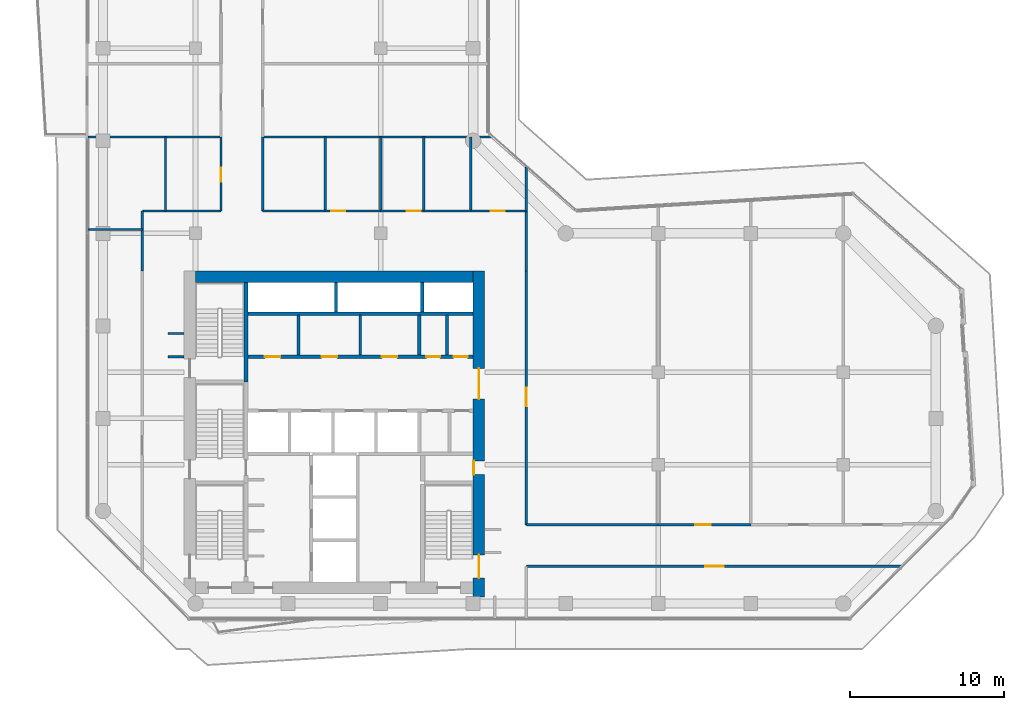
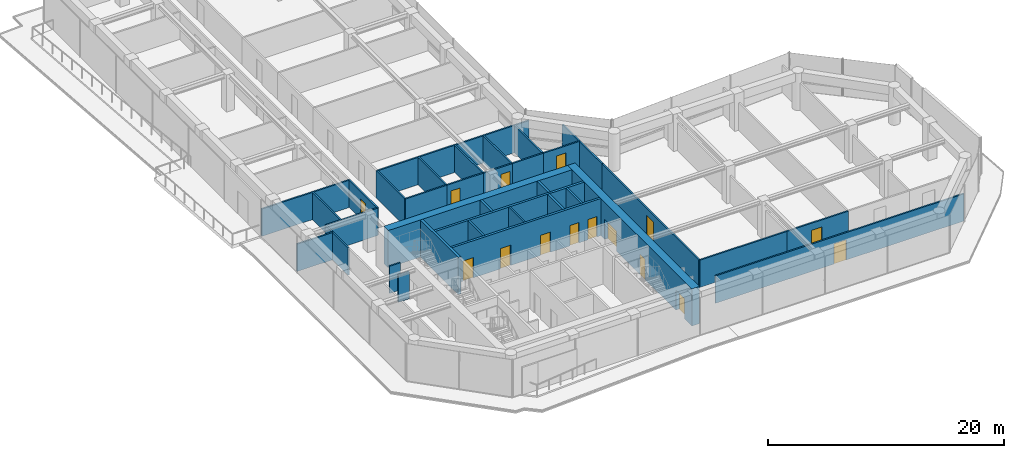
# One storey, part 19 of 23: 36 walls, 15 doors, 15 openings.
"""IFC4 building model written with IfcOpenShell, lengths in metres."""

from ifc_helpers import new_model, si_unit, direction, frame, frame_2d, origin, place, context, subcontext, project, spatial, rectangle, extrude, material, layer, layer_set, type_object, element, fill, save


model = new_model("IFC4")

# Units and contexts
model_context = context("Model", 3, precision=1e-05, world=origin(), true_north=direction((0.0, 1.0)))
body_context = subcontext(model_context, "Body", "Model", "MODEL_VIEW")
ifc_project = project(units=[si_unit("LENGTHUNIT", "METRE"), si_unit("AREAUNIT", "SQUARE_METRE"), si_unit("VOLUMEUNIT", "CUBIC_METRE"), si_unit("PLANEANGLEUNIT", "RADIAN"), si_unit("MASSUNIT", "GRAM", prefix="KILO")], contexts=[model_context])

# Site, building, storey
site_placement = place(None, origin())
site = spatial("IfcSite", under=ifc_project, at=site_placement, CompositionType="ELEMENT")
building_placement = place(site_placement, origin())
building = spatial("IfcBuilding", under=site, at=building_placement, Name="Welwitschia Terrace Campus", CompositionType="ELEMENT")
storey_placement = place(building_placement, frame((0.0, 0.0, 96.199951171875)))
storey = spatial("IfcBuildingStorey", under=building, at=storey_placement, Name="L21", CompositionType="ELEMENT", Elevation=96.199951171875)

# Walls
ifc_material_1 = material(Name="Concrete C32/40", Category="concrete")
ifc_layer_1 = layer(ifc_material_1, 0.175048828125)
ifc_layer_set_1 = layer_set([ifc_layer_1], Name="Concrete C32/40")
wall_type_1 = type_object("IfcWallType", Name="Core partition 175 Concrete C32/40", PredefinedType="PARTITIONING", material=ifc_layer_set_1)
for number, where, z_axis, x_axis, name in (
    (1, (12.675048828125, 20.10009765625, 0.0), (0.0, 0.0, 1.0), (0.0, 1.0, 0.0), "Core partition"),
    (2, (16.675048828125, 20.10009765625, 0.0), (0.0, 0.0, 1.0), (0.0, 1.0, 0.0), "Core partition"),
    (3, (22.300048828125, 20.10009765625, 0.0), (0.0, 0.0, 1.0), (0.0, 1.0, 0.0), "Core partition"),
):
    element("IfcWall", number, at=place(storey_placement, frame(where, z_axis=z_axis, x_axis=x_axis)), inside=storey, type_object=wall_type_1, Name=name, PredefinedType="PARTITIONING", context=body_context, shape_type="SweptSolid", body=[
        extrude(rectangle(XDim=2.599853515625, YDim=0.175048828125, at=frame_2d((1.2998046875, 0.0))), origin(), (0.0, 0.0, 1.0), 3.85009765625),
    ])

# Wall, openings, doors
ifc_material_2 = material(Name="Concrete C32/40", Category="concrete")
ifc_layer_2 = layer(ifc_material_2, 0.22509765625)
ifc_layer_set_2 = layer_set([ifc_layer_2], Name="Concrete C32/40")
wall_type_2 = type_object("IfcWallType", Name="Core partition 225 Concrete C32/40", PredefinedType="PARTITIONING", material=ifc_layer_set_2)
wall_1_placement = place(storey_placement, frame((24.0, 20.0, 0.0), z_axis=(0.0, 0.0, 1.0), x_axis=(-1.0, 0.0, 0.0)))
wall_1 = element("IfcWall", 4, at=wall_1_placement, inside=storey, type_object=wall_type_2, Name="Core partition", PredefinedType="PARTITIONING", context=body_context, shape_type="SweptSolid", body=[
    extrude(rectangle(XDim=14.60009765625, YDim=0.22509765625, at=frame_2d((7.300048828125, 0.0))), origin(), (0.0, 0.0, 1.0), 3.85009765625),
])
opening_1_placement = place(wall_1_placement, frame((12.5, 0.0, 0.0)))
opening_1 = element("IfcOpeningElement", 5, at=opening_1_placement, cuts=wall_1, Name="Opening DR10", PredefinedType="OPENING", context=body_context, shape_type="SweptSolid", body=[
    extrude(rectangle(XDim=1.0, YDim=2.10009765625, at=frame_2d((0.5, 1.050048828125))), frame((0.0, 0.12255859375, 0.0), z_axis=(0.0, -1.0, 0.0), x_axis=(1.0, 0.0, 0.0)), (0.0, 0.0, 1.0), 0.2451171875),
])
opening_2_placement = place(wall_1_placement, frame((8.824951171875, 0.0, 0.0)))
opening_2 = element("IfcOpeningElement", 6, at=opening_2_placement, cuts=wall_1, Name="Opening DR10", PredefinedType="OPENING", context=body_context, shape_type="SweptSolid", body=[
    extrude(rectangle(XDim=1.0, YDim=2.10009765625, at=frame_2d((0.5, 1.050048828125))), frame((0.0, 0.12255859375, 0.0), z_axis=(0.0, -1.0, 0.0), x_axis=(1.0, 0.0, 0.0)), (0.0, 0.0, 1.0), 0.2451171875),
])
opening_3_placement = place(wall_1_placement, frame((4.925048828125, 0.0, 0.0)))
opening_3 = element("IfcOpeningElement", 7, at=opening_3_placement, cuts=wall_1, Name="Opening DR10", PredefinedType="OPENING", context=body_context, shape_type="SweptSolid", body=[
    extrude(rectangle(XDim=1.0, YDim=2.10009765625, at=frame_2d((0.5, 1.050048828125))), frame((0.0, 0.12255859375, 0.0), z_axis=(0.0, -1.0, 0.0), x_axis=(1.0, 0.0, 0.0)), (0.0, 0.0, 1.0), 0.2451171875),
])
opening_4_placement = place(wall_1_placement, frame((2.137451171875, 0.0, 0.0)))
opening_4 = element("IfcOpeningElement", 8, at=opening_4_placement, cuts=wall_1, Name="Opening DR09", PredefinedType="OPENING", context=body_context, shape_type="SweptSolid", body=[
    extrude(rectangle(XDim=0.89990234375, YDim=2.10009765625, at=frame_2d((0.449951171875, 1.050048828125))), frame((0.0, 0.12255859375, 0.0), z_axis=(0.0, -1.0, 0.0), x_axis=(1.0, 0.0, 0.0)), (0.0, 0.0, 1.0), 0.2451171875),
])
opening_5_placement = place(wall_1_placement, frame((0.362548828125, 0.0, 0.0)))
opening_5 = element("IfcOpeningElement", 9, at=opening_5_placement, cuts=wall_1, Name="Opening DR09", PredefinedType="OPENING", context=body_context, shape_type="SweptSolid", body=[
    extrude(rectangle(XDim=0.89990234375, YDim=2.10009765625, at=frame_2d((0.449951171875, 1.050048828125))), frame((0.0, 0.12255859375, 0.0), z_axis=(0.0, -1.0, 0.0), x_axis=(1.0, 0.0, 0.0)), (0.0, 0.0, 1.0), 0.2451171875),
])
ifc_material_3 = material(Name="Steel S275", Category="steel")
door_type_1 = type_object("IfcDoorType", Name="Core door DR09", OperationType="SINGLE_SWING_LEFT", PredefinedType="DOOR", material=ifc_material_3)
door_1_placement = place(opening_4_placement, origin())
door_1 = element("IfcDoor", 10, at=door_1_placement, inside=storey, type_object=door_type_1, Name="Door EH1-D", OperationType="SINGLE_SWING_LEFT", OverallHeight=2.10009765625, OverallWidth=0.89990234375, PredefinedType="DOOR", context=body_context, shape_type="SweptSolid", body=[
    extrude(rectangle(XDim=0.89990234375, YDim=2.10009765625, at=frame_2d((0.449951171875, 1.050048828125))), frame((0.0, 0.02490234375, 0.0), z_axis=(0.0, -1.0, 0.0), x_axis=(1.0, 0.0, 0.0)), (0.0, 0.0, 1.0), 0.050048828125),
])
fill(opening_4, door_1)
door_2_placement = place(opening_5_placement, origin())
door_2 = element("IfcDoor", 11, at=door_2_placement, inside=storey, type_object=door_type_1, Name="Door EH2-D", OperationType="SINGLE_SWING_LEFT", OverallHeight=2.10009765625, OverallWidth=0.89990234375, PredefinedType="DOOR", context=body_context, shape_type="SweptSolid", body=[
    extrude(rectangle(XDim=0.89990234375, YDim=2.10009765625, at=frame_2d((0.449951171875, 1.050048828125))), frame((0.0, 0.02490234375, 0.0), z_axis=(0.0, -1.0, 0.0), x_axis=(1.0, 0.0, 0.0)), (0.0, 0.0, 1.0), 0.050048828125),
])
fill(opening_5, door_2)
ifc_material_4 = material(Name="Steel S275", Category="steel")
door_type_2 = type_object("IfcDoorType", Name="Core door DR10", OperationType="SINGLE_SWING_LEFT", PredefinedType="DOOR", material=ifc_material_4)
door_3_placement = place(opening_1_placement, origin())
door_3 = element("IfcDoor", 12, at=door_3_placement, inside=storey, type_object=door_type_2, Name="Door BAYH1-D", OperationType="SINGLE_SWING_RIGHT", OverallHeight=2.10009765625, OverallWidth=1.0, PredefinedType="DOOR", context=body_context, shape_type="SweptSolid", body=[
    extrude(rectangle(XDim=1.0, YDim=2.10009765625, at=frame_2d((0.5, 1.050048828125))), frame((0.0, 0.02490234375, 0.0), z_axis=(0.0, -1.0, 0.0), x_axis=(1.0, 0.0, 0.0)), (0.0, 0.0, 1.0), 0.050048828125),
])
fill(opening_1, door_3)
door_4_placement = place(opening_2_placement, origin())
door_4 = element("IfcDoor", 13, at=door_4_placement, inside=storey, type_object=door_type_2, Name="Door BAYH2-D", OperationType="SINGLE_SWING_RIGHT", OverallHeight=2.10009765625, OverallWidth=1.0, PredefinedType="DOOR", context=body_context, shape_type="SweptSolid", body=[
    extrude(rectangle(XDim=1.0, YDim=2.10009765625, at=frame_2d((0.5, 1.050048828125))), frame((0.0, 0.02490234375, 0.0), z_axis=(0.0, -1.0, 0.0), x_axis=(1.0, 0.0, 0.0)), (0.0, 0.0, 1.0), 0.050048828125),
])
fill(opening_2, door_4)
door_5_placement = place(opening_3_placement, origin())
door_5 = element("IfcDoor", 14, at=door_5_placement, inside=storey, type_object=door_type_2, Name="Door BAYH3-D", OperationType="SINGLE_SWING_LEFT", OverallHeight=2.10009765625, OverallWidth=1.0, PredefinedType="DOOR", context=body_context, shape_type="SweptSolid", body=[
    extrude(rectangle(XDim=1.0, YDim=2.10009765625, at=frame_2d((0.5, 1.050048828125))), frame((0.0, 0.02490234375, 0.0), z_axis=(0.0, -1.0, 0.0), x_axis=(1.0, 0.0, 0.0)), (0.0, 0.0, 1.0), 0.050048828125),
])
fill(opening_3, door_5)

# Walls
wall_2_placement = place(storey_placement, frame((9.39990234375, 22.800048828125, 0.0), z_axis=(0.0, 0.0, 1.0), x_axis=(1.0, 0.0, 0.0)))
element("IfcWall", 15, at=wall_2_placement, inside=storey, type_object=wall_type_2, Name="Shaft wall", PredefinedType="PARTITIONING", context=body_context, shape_type="SweptSolid", body=[
    extrude(rectangle(XDim=14.60009765625, YDim=0.22509765625, at=frame_2d((7.300048828125, 0.0))), origin(), (0.0, 0.0, 1.0), 3.85009765625),
])
wall_3_placement = place(storey_placement, frame((20.5, 20.10009765625, 0.0), z_axis=(0.0, 0.0, 1.0), x_axis=(0.0, 1.0, 0.0)))
element("IfcWall", 16, at=wall_3_placement, inside=storey, type_object=wall_type_2, Name="Core partition", PredefinedType="PARTITIONING", context=body_context, shape_type="SweptSolid", body=[
    extrude(rectangle(XDim=2.599853515625, YDim=0.22509765625, at=frame_2d((1.2998046875, 0.0))), origin(), (0.0, 0.0, 1.0), 3.85009765625),
])
ifc_material_5 = material(Name="Concrete C50/60", Category="concrete")
ifc_layer_3 = layer(ifc_material_5, 0.199951171875)
ifc_layer_set_3 = layer_set([ifc_layer_3], Name="Concrete C50/60")
wall_type_3 = type_object("IfcWallType", Name="Core wall 200 Concrete C50/60", PredefinedType="SHEAR", material=ifc_layer_set_3)
for number, where, z_axis, x_axis, name in (
    (17, (15.10009765625, 22.89990234375, 0.0), (0.0, 0.0, 1.0), (0.0, 1.0, 0.0), "Core wall"),
    (18, (20.699951171875, 22.89990234375, 0.0), (0.0, 0.0, 1.0), (0.0, 1.0, 0.0), "Core wall"),
):
    element("IfcWall", number, at=place(storey_placement, frame(where, z_axis=z_axis, x_axis=x_axis)), inside=storey, type_object=wall_type_3, Name=name, PredefinedType="SHEAR", context=body_context, shape_type="SweptSolid", body=[
        extrude(rectangle(XDim=1.900146484375, YDim=0.199951171875, at=frame_2d((0.9501953125, 0.0))), origin(), (0.0, 0.0, 1.0), 3.85009765625),
    ])
ifc_material_6 = material(Name="Concrete C50/60", Category="concrete")
ifc_layer_4 = layer(ifc_material_6, 0.25)
ifc_layer_set_4 = layer_set([ifc_layer_4], Name="Concrete C50/60")
wall_type_4 = type_object("IfcWallType", Name="Core wall 250 Concrete C50/60", PredefinedType="SHEAR", material=ifc_layer_set_4)
wall_4_placement = place(storey_placement, frame((9.27490234375, 18.375, 0.0), z_axis=(0.0, 0.0, 1.0), x_axis=(0.0, 1.0, 0.0)))
element("IfcWall", 19, at=wall_4_placement, inside=storey, type_object=wall_type_4, Name="Core wall", PredefinedType="SHEAR", context=body_context, shape_type="SweptSolid", body=[
    extrude(rectangle(XDim=6.425048828125, YDim=0.25, at=frame_2d((3.21240234375, 0.0))), origin(), (0.0, 0.0, 1.0), 3.85009765625),
])

# Wall, openings, doors
ifc_material_7 = material(Name="Concrete C70/85", Category="concrete")
ifc_layer_5 = layer(ifc_material_7, 0.75)
ifc_layer_set_5 = layer_set([ifc_layer_5], Name="Concrete C70/85")
wall_type_5 = type_object("IfcWallType", Name="Core wall 750 Concrete C70/85", PredefinedType="SHEAR", material=ifc_layer_set_5)
wall_5_placement = place(storey_placement, frame((24.375, 25.550048828125, 0.0), z_axis=(0.0, 0.0, 1.0), x_axis=(0.0, -1.0, 0.0)))
wall_5 = element("IfcWall", 20, at=wall_5_placement, inside=storey, type_object=wall_type_5, Name="Core outer wall", PredefinedType="SHEAR", context=body_context, shape_type="SweptSolid", body=[
    extrude(rectangle(XDim=21.130126953125, YDim=0.75, at=frame_2d((10.56494140625, 0.0))), origin(), (0.0, 0.0, 1.0), 3.85009765625),
])
opening_6_placement = place(wall_5_placement, frame((18.39990234375, 0.0, 0.0)))
opening_6 = element("IfcOpeningElement", 21, at=opening_6_placement, cuts=wall_5, Name="Opening DS15", PredefinedType="OPENING", context=body_context, shape_type="SweptSolid", body=[
    extrude(rectangle(XDim=1.5, YDim=2.10009765625, at=frame_2d((0.75, 1.050048828125))), frame((0.0, 0.385009765625, 0.0), z_axis=(0.0, -1.0, 0.0), x_axis=(1.0, 0.0, 0.0)), (0.0, 0.0, 1.0), 0.77001953125),
])
opening_7_placement = place(wall_5_placement, frame((12.300048828125, 0.0, 0.0)))
opening_7 = element("IfcOpeningElement", 22, at=opening_7_placement, cuts=wall_5, Name="Opening DR09", PredefinedType="OPENING", context=body_context, shape_type="SweptSolid", body=[
    extrude(rectangle(XDim=0.89990234375, YDim=2.10009765625, at=frame_2d((0.449951171875, 1.050048828125))), frame((0.0, 0.385009765625, 0.0), z_axis=(0.0, -1.0, 0.0), x_axis=(1.0, 0.0, 0.0)), (0.0, 0.0, 1.0), 0.77001953125),
])
opening_8_placement = place(wall_5_placement, frame((6.300048828125, 0.0, 0.0)))
opening_8 = element("IfcOpeningElement", 23, at=opening_8_placement, cuts=wall_5, Name="Opening DL20", PredefinedType="OPENING", context=body_context, shape_type="SweptSolid", body=[
    extrude(rectangle(XDim=2.0, YDim=2.10009765625, at=frame_2d((1.0, 1.050048828125))), frame((0.0, 0.385009765625, 0.0), z_axis=(0.0, -1.0, 0.0), x_axis=(1.0, 0.0, 0.0)), (0.0, 0.0, 1.0), 0.77001953125),
])
ifc_material_8 = material(Name="Steel S275", Category="steel")
door_type_3 = type_object("IfcDoorType", Name="Core door DL20", OperationType="DOUBLE_DOOR_SINGLE_SWING", PredefinedType="DOOR", material=ifc_material_8)
door_6_placement = place(opening_8_placement, origin())
door_6 = element("IfcDoor", 24, at=door_6_placement, inside=storey, type_object=door_type_3, Name="Door LOBBY-out", OperationType="DOUBLE_DOOR_SINGLE_SWING", OverallHeight=2.10009765625, OverallWidth=2.0, PredefinedType="DOOR", context=body_context, shape_type="SweptSolid", body=[
    extrude(rectangle(XDim=2.0, YDim=2.10009765625, at=frame_2d((1.0, 1.050048828125))), frame((0.0, 0.02490234375, 0.0), z_axis=(0.0, -1.0, 0.0), x_axis=(1.0, 0.0, 0.0)), (0.0, 0.0, 1.0), 0.050048828125),
])
fill(opening_8, door_6)
door_7_placement = place(opening_7_placement, origin())
door_7 = element("IfcDoor", 25, at=door_7_placement, inside=storey, type_object=door_type_1, Name="Door F1B-out", OperationType="SINGLE_SWING_RIGHT", OverallHeight=2.10009765625, OverallWidth=0.89990234375, PredefinedType="DOOR", context=body_context, shape_type="SweptSolid", body=[
    extrude(rectangle(XDim=0.89990234375, YDim=2.10009765625, at=frame_2d((0.449951171875, 1.050048828125))), frame((0.0, -0.31494140625, 0.0), z_axis=(0.0, -1.0, 0.0), x_axis=(1.0, 0.0, 0.0)), (0.0, 0.0, 1.0), 0.050048828125),
])
fill(opening_7, door_7)
ifc_material_9 = material(Name="Steel S275", Category="steel")
door_type_4 = type_object("IfcDoorType", Name="Core door DS15", OperationType="DOUBLE_DOOR_SINGLE_SWING", PredefinedType="DOOR", material=ifc_material_9)
door_8_placement = place(opening_6_placement, origin())
door_8 = element("IfcDoor", 26, at=door_8_placement, inside=storey, type_object=door_type_4, Name="Door S2-out", OperationType="DOUBLE_DOOR_SINGLE_SWING", OverallHeight=2.10009765625, OverallWidth=1.5, PredefinedType="DOOR", context=body_context, shape_type="SweptSolid", body=[
    extrude(rectangle(XDim=1.5, YDim=2.10009765625, at=frame_2d((0.75, 1.050048828125))), frame((0.0, 0.02490234375, 0.0), z_axis=(0.0, -1.0, 0.0), x_axis=(1.0, 0.0, 0.0)), (0.0, 0.0, 1.0), 0.050048828125),
])
fill(opening_6, door_8)

# Walls
wall_6_placement = place(storey_placement, frame((6.0, 25.175048828125, 0.0), z_axis=(0.0, 0.0, 1.0), x_axis=(1.0, 0.0, 0.0)))
element("IfcWall", 27, at=wall_6_placement, inside=storey, type_object=wall_type_5, Name="Core outer wall", PredefinedType="SHEAR", context=body_context, shape_type="SweptSolid", body=[
    extrude(rectangle(XDim=18.0, YDim=0.75, at=frame_2d((9.0, 0.0))), origin(), (0.0, 0.0, 1.0), 3.85009765625),
])
ifc_material_10 = material(Name="Gypsum board on steel studs", Category="steel")
ifc_layer_6 = layer(ifc_material_10, 0.14990234375)
ifc_layer_set_6 = layer_set([ifc_layer_6], Name="Gypsum board on steel studs")
wall_type_6 = type_object("IfcWallType", Name="Corridor partition 150 EI 30", PredefinedType="PARTITIONING", material=ifc_layer_set_6)
wall_7_placement = place(storey_placement, frame((-0.97998046875, 28.25, 0.0), z_axis=(0.0, 0.0, 1.0), x_axis=(1.0, 0.0, 0.0)))
element("IfcWall", 28, at=wall_7_placement, inside=storey, type_object=wall_type_6, Name="Partition", PredefinedType="PARTITIONING", context=body_context, shape_type="SweptSolid", body=[
    extrude(rectangle(XDim=3.530029296875, YDim=0.14990234375, at=frame_2d((1.76513671875, 0.0))), origin(), (0.0, 0.0, 1.0), 2.830078125),
])
wall_8_placement = place(storey_placement, frame((-0.965087890625, 34.25, 0.0), z_axis=(0.0, 0.0, 1.0), x_axis=(1.0, 0.0, 0.0)))
element("IfcWall", 29, at=wall_8_placement, inside=storey, type_object=wall_type_6, Name="Partition", PredefinedType="PARTITIONING", context=body_context, shape_type="SweptSolid", body=[
    extrude(rectangle(XDim=8.614990234375, YDim=0.14990234375, at=frame_2d((4.3076171875, 0.0))), origin(), (0.0, 0.0, 1.0), 2.830078125),
])
wall_9_placement = place(storey_placement, frame((2.550048828125, 25.550048828125, 0.0), z_axis=(0.0, 0.0, 1.0), x_axis=(0.0, 1.0, 0.0)))
element("IfcWall", 30, at=wall_9_placement, inside=storey, type_object=wall_type_6, Name="Partition", PredefinedType="PARTITIONING", context=body_context, shape_type="SweptSolid", body=[
    extrude(rectangle(XDim=3.89990234375, YDim=0.14990234375, at=frame_2d((1.949951171875, 0.0))), origin(), (0.0, 0.0, 1.0), 2.830078125),
])
wall_10_placement = place(storey_placement, frame((2.550048828125, 29.449951171875, 0.0), z_axis=(0.0, 0.0, 1.0), x_axis=(1.0, 0.0, 0.0)))
element("IfcWall", 31, at=wall_10_placement, inside=storey, type_object=wall_type_6, Name="Partition", PredefinedType="PARTITIONING", context=body_context, shape_type="SweptSolid", body=[
    extrude(rectangle(XDim=5.099853515625, YDim=0.14990234375, at=frame_2d((2.5498046875, 0.0))), origin(), (0.0, 0.0, 1.0), 2.830078125),
])
wall_11_placement = place(storey_placement, frame((4.050048828125, 29.449951171875, 0.0), z_axis=(0.0, 0.0, 1.0), x_axis=(0.0, 1.0, 0.0)))
element("IfcWall", 32, at=wall_11_placement, inside=storey, type_object=wall_type_6, Name="Partition", PredefinedType="PARTITIONING", context=body_context, shape_type="SweptSolid", body=[
    extrude(rectangle(XDim=4.800048828125, YDim=0.14990234375, at=frame_2d((2.39990234375, 0.0))), origin(), (0.0, 0.0, 1.0), 2.830078125),
])
for number, where, z_axis, x_axis, name in (
    (33, (4.199951171875, 20.0, 0.0), (0.0, 0.0, 1.0), (1.0, 0.0, 0.0), "Partition"),
    (34, (4.199951171875, 21.5, 0.0), (0.0, 0.0, 1.0), (1.0, 0.0, 0.0), "Partition"),
):
    element("IfcWall", number, at=place(storey_placement, frame(where, z_axis=z_axis, x_axis=x_axis)), inside=storey, type_object=wall_type_6, Name=name, PredefinedType="PARTITIONING", context=body_context, shape_type="SweptSolid", body=[
        extrude(rectangle(XDim=1.050048828125, YDim=0.14990234375, at=frame_2d((0.52490234375, 0.0))), origin(), (0.0, 0.0, 1.0), 2.830078125),
    ])

# Wall, opening, door
wall_12_placement = place(storey_placement, frame((7.64990234375, 29.449951171875, 0.0), z_axis=(0.0, 0.0, 1.0), x_axis=(0.0, 1.0, 0.0)))
wall_12 = element("IfcWall", 35, at=wall_12_placement, inside=storey, type_object=wall_type_6, Name="Partition", PredefinedType="PARTITIONING", context=body_context, shape_type="SweptSolid", body=[
    extrude(rectangle(XDim=4.800048828125, YDim=0.14990234375, at=frame_2d((2.39990234375, 0.0))), origin(), (0.0, 0.0, 1.0), 2.830078125),
])
opening_9_placement = place(wall_12_placement, frame((1.89990234375, 0.0, 0.0)))
opening_9 = element("IfcOpeningElement", 36, at=opening_9_placement, cuts=wall_12, Name="Opening DI09", PredefinedType="OPENING", context=body_context, shape_type="SweptSolid", body=[
    extrude(rectangle(XDim=0.89990234375, YDim=2.10009765625, at=frame_2d((0.449951171875, 1.050048828125))), frame((0.0, 0.0849609375, 0.0), z_axis=(0.0, -1.0, 0.0), x_axis=(1.0, 0.0, 0.0)), (0.0, 0.0, 1.0), 0.169921875),
])
ifc_material_11 = material(Name="Timber veneered door", Category="wood")
door_type_5 = type_object("IfcDoorType", Name="Interior door DI09", OperationType="NOTDEFINED", PredefinedType="DOOR", material=ifc_material_11)
door_9_placement = place(opening_9_placement, origin())
door_9 = element("IfcDoor", 37, at=door_9_placement, inside=storey, type_object=door_type_5, Name="Door L21 460", OperationType="SINGLE_SWING_LEFT", OverallHeight=2.10009765625, OverallWidth=0.89990234375, PredefinedType="DOOR", context=body_context, shape_type="SweptSolid", body=[
    extrude(rectangle(XDim=0.89990234375, YDim=2.10009765625, at=frame_2d((0.449951171875, 1.050048828125))), frame((0.0, 0.02490234375, 0.0), z_axis=(0.0, -1.0, 0.0), x_axis=(1.0, 0.0, 0.0)), (0.0, 0.0, 1.0), 0.050048828125),
])
fill(opening_9, door_9)

# Walls
wall_13_placement = place(storey_placement, frame((10.35009765625, 29.449951171875, 0.0), z_axis=(0.0, 0.0, 1.0), x_axis=(0.0, 1.0, 0.0)))
element("IfcWall", 38, at=wall_13_placement, inside=storey, type_object=wall_type_6, Name="Partition", PredefinedType="PARTITIONING", context=body_context, shape_type="SweptSolid", body=[
    extrude(rectangle(XDim=4.800048828125, YDim=0.14990234375, at=frame_2d((2.39990234375, 0.0))), origin(), (0.0, 0.0, 1.0), 2.830078125),
])
wall_14_placement = place(storey_placement, frame((10.35009765625, 29.449951171875, 0.0), z_axis=(0.0, 0.0, 1.0), x_axis=(1.0, 0.0, 0.0)))
element("IfcWall", 39, at=wall_14_placement, inside=storey, type_object=wall_type_6, Name="Partition", PredefinedType="PARTITIONING", context=body_context, shape_type="SweptSolid", body=[
    extrude(rectangle(XDim=4.0498046875, YDim=0.14990234375, at=frame_2d((2.02490234375, 0.0))), origin(), (0.0, 0.0, 1.0), 2.830078125),
])
wall_15_placement = place(storey_placement, frame((10.35009765625, 34.25, 0.0), z_axis=(0.0, 0.0, 1.0), x_axis=(1.0, 0.0, 0.0)))
element("IfcWall", 40, at=wall_15_placement, inside=storey, type_object=wall_type_6, Name="Partition", PredefinedType="PARTITIONING", context=body_context, shape_type="SweptSolid", body=[
    extrude(rectangle(XDim=14.8798828125, YDim=0.14990234375, at=frame_2d((7.43994140625, 0.0))), origin(), (0.0, 0.0, 1.0), 2.830078125),
])
wall_16_placement = place(storey_placement, frame((14.39990234375, 29.449951171875, 0.0), z_axis=(0.0, 0.0, 1.0), x_axis=(0.0, 1.0, 0.0)))
element("IfcWall", 41, at=wall_16_placement, inside=storey, type_object=wall_type_6, Name="Partition", PredefinedType="PARTITIONING", context=body_context, shape_type="SweptSolid", body=[
    extrude(rectangle(XDim=4.800048828125, YDim=0.14990234375, at=frame_2d((2.39990234375, 0.0))), origin(), (0.0, 0.0, 1.0), 2.830078125),
])

# Wall, opening, door
wall_17_placement = place(storey_placement, frame((14.39990234375, 29.449951171875, 0.0), z_axis=(0.0, 0.0, 1.0), x_axis=(1.0, 0.0, 0.0)))
wall_17 = element("IfcWall", 42, at=wall_17_placement, inside=storey, type_object=wall_type_6, Name="Partition", PredefinedType="PARTITIONING", context=body_context, shape_type="SweptSolid", body=[
    extrude(rectangle(XDim=3.60009765625, YDim=0.14990234375, at=frame_2d((1.800048828125, 0.0))), origin(), (0.0, 0.0, 1.0), 2.830078125),
])
opening_10_placement = place(wall_17_placement, frame((0.39990234375, 0.0, 0.0)))
opening_10 = element("IfcOpeningElement", 43, at=opening_10_placement, cuts=wall_17, Name="Opening DI09", PredefinedType="OPENING", context=body_context, shape_type="SweptSolid", body=[
    extrude(rectangle(XDim=0.89990234375, YDim=2.10009765625, at=frame_2d((0.449951171875, 1.050048828125))), frame((0.0, 0.0849609375, 0.0), z_axis=(0.0, -1.0, 0.0), x_axis=(1.0, 0.0, 0.0)), (0.0, 0.0, 1.0), 0.169921875),
])
door_10_placement = place(opening_10_placement, origin())
door_10 = element("IfcDoor", 44, at=door_10_placement, inside=storey, type_object=door_type_5, Name="Door L21 471", OperationType="SINGLE_SWING_RIGHT", OverallHeight=2.10009765625, OverallWidth=0.89990234375, PredefinedType="DOOR", context=body_context, shape_type="SweptSolid", body=[
    extrude(rectangle(XDim=0.89990234375, YDim=2.10009765625, at=frame_2d((0.449951171875, 1.050048828125))), frame((0.0, 0.02490234375, 0.0), z_axis=(0.0, -1.0, 0.0), x_axis=(1.0, 0.0, 0.0)), (0.0, 0.0, 1.0), 0.050048828125),
])
fill(opening_10, door_10)

# Wall
wall_18_placement = place(storey_placement, frame((18.0, 29.449951171875, 0.0), z_axis=(0.0, 0.0, 1.0), x_axis=(0.0, 1.0, 0.0)))
element("IfcWall", 45, at=wall_18_placement, inside=storey, type_object=wall_type_6, Name="Partition", PredefinedType="PARTITIONING", context=body_context, shape_type="SweptSolid", body=[
    extrude(rectangle(XDim=4.800048828125, YDim=0.14990234375, at=frame_2d((2.39990234375, 0.0))), origin(), (0.0, 0.0, 1.0), 2.830078125),
])

# Wall, opening, door
wall_19_placement = place(storey_placement, frame((18.0, 29.449951171875, 0.0), z_axis=(0.0, 0.0, 1.0), x_axis=(1.0, 0.0, 0.0)))
wall_19 = element("IfcWall", 46, at=wall_19_placement, inside=storey, type_object=wall_type_6, Name="Partition", PredefinedType="PARTITIONING", context=body_context, shape_type="SweptSolid", body=[
    extrude(rectangle(XDim=2.800048828125, YDim=0.14990234375, at=frame_2d((1.39990234375, 0.0))), origin(), (0.0, 0.0, 1.0), 2.830078125),
])
opening_11_placement = place(wall_19_placement, frame((1.699951171875, 0.0, 0.0)))
opening_11 = element("IfcOpeningElement", 47, at=opening_11_placement, cuts=wall_19, Name="Opening DI09", PredefinedType="OPENING", context=body_context, shape_type="SweptSolid", body=[
    extrude(rectangle(XDim=0.89990234375, YDim=2.10009765625, at=frame_2d((0.449951171875, 1.050048828125))), frame((0.0, 0.0849609375, 0.0), z_axis=(0.0, -1.0, 0.0), x_axis=(1.0, 0.0, 0.0)), (0.0, 0.0, 1.0), 0.169921875),
])
door_11_placement = place(opening_11_placement, origin())
door_11 = element("IfcDoor", 48, at=door_11_placement, inside=storey, type_object=door_type_5, Name="Door L21 472", OperationType="SINGLE_SWING_LEFT", OverallHeight=2.10009765625, OverallWidth=0.89990234375, PredefinedType="DOOR", context=body_context, shape_type="SweptSolid", body=[
    extrude(rectangle(XDim=0.89990234375, YDim=2.10009765625, at=frame_2d((0.449951171875, 1.050048828125))), frame((0.0, 0.02490234375, 0.0), z_axis=(0.0, -1.0, 0.0), x_axis=(1.0, 0.0, 0.0)), (0.0, 0.0, 1.0), 0.050048828125),
])
fill(opening_11, door_11)

# Walls
wall_20_placement = place(storey_placement, frame((20.800048828125, 29.449951171875, 0.0), z_axis=(0.0, 0.0, 1.0), x_axis=(0.0, 1.0, 0.0)))
element("IfcWall", 49, at=wall_20_placement, inside=storey, type_object=wall_type_6, Name="Partition", PredefinedType="PARTITIONING", context=body_context, shape_type="SweptSolid", body=[
    extrude(rectangle(XDim=4.800048828125, YDim=0.14990234375, at=frame_2d((2.39990234375, 0.0))), origin(), (0.0, 0.0, 1.0), 2.830078125),
])
wall_21_placement = place(storey_placement, frame((20.800048828125, 29.449951171875, 0.0), z_axis=(0.0, 0.0, 1.0), x_axis=(1.0, 0.0, 0.0)))
element("IfcWall", 50, at=wall_21_placement, inside=storey, type_object=wall_type_6, Name="Partition", PredefinedType="PARTITIONING", context=body_context, shape_type="SweptSolid", body=[
    extrude(rectangle(XDim=3.050048828125, YDim=0.14990234375, at=frame_2d((1.52490234375, 0.0))), origin(), (0.0, 0.0, 1.0), 2.830078125),
])
wall_22_placement = place(storey_placement, frame((23.85009765625, 29.449951171875, 0.0), z_axis=(0.0, 0.0, 1.0), x_axis=(0.0, 1.0, 0.0)))
element("IfcWall", 51, at=wall_22_placement, inside=storey, type_object=wall_type_6, Name="Partition", PredefinedType="PARTITIONING", context=body_context, shape_type="SweptSolid", body=[
    extrude(rectangle(XDim=4.800048828125, YDim=0.14990234375, at=frame_2d((2.39990234375, 0.0))), origin(), (0.0, 0.0, 1.0), 2.830078125),
])

# Wall, opening, door
wall_23_placement = place(storey_placement, frame((23.85009765625, 29.449951171875, 0.0), z_axis=(0.0, 0.0, 1.0), x_axis=(1.0, 0.0, 0.0)))
wall_23 = element("IfcWall", 52, at=wall_23_placement, inside=storey, type_object=wall_type_6, Name="Partition", PredefinedType="PARTITIONING", context=body_context, shape_type="SweptSolid", body=[
    extrude(rectangle(XDim=3.599853515625, YDim=0.14990234375, at=frame_2d((1.7998046875, 0.0))), origin(), (0.0, 0.0, 1.0), 2.830078125),
])
opening_12_placement = place(wall_23_placement, frame((1.300048828125, 0.0, 0.0)))
opening_12 = element("IfcOpeningElement", 53, at=opening_12_placement, cuts=wall_23, Name="Opening DI09", PredefinedType="OPENING", context=body_context, shape_type="SweptSolid", body=[
    extrude(rectangle(XDim=0.89990234375, YDim=2.10009765625, at=frame_2d((0.449951171875, 1.050048828125))), frame((0.0, 0.0849609375, 0.0), z_axis=(0.0, -1.0, 0.0), x_axis=(1.0, 0.0, 0.0)), (0.0, 0.0, 1.0), 0.169921875),
])
door_12_placement = place(opening_12_placement, origin())
door_12 = element("IfcDoor", 54, at=door_12_placement, inside=storey, type_object=door_type_5, Name="Door L21 473", OperationType="SINGLE_SWING_RIGHT", OverallHeight=2.10009765625, OverallWidth=0.89990234375, PredefinedType="DOOR", context=body_context, shape_type="SweptSolid", body=[
    extrude(rectangle(XDim=0.89990234375, YDim=2.10009765625, at=frame_2d((0.449951171875, 1.050048828125))), frame((0.0, 0.02490234375, 0.0), z_axis=(0.0, -1.0, 0.0), x_axis=(1.0, 0.0, 0.0)), (0.0, 0.0, 1.0), 0.050048828125),
])
fill(opening_12, door_12)

# Wall
wall_24_placement = place(storey_placement, frame((27.449951171875, 9.10009765625, 0.0), z_axis=(0.0, 0.0, 1.0), x_axis=(1.0, 0.0, 0.0)))
element("IfcWall", 55, at=wall_24_placement, inside=storey, type_object=wall_type_6, Name="Partition", PredefinedType="PARTITIONING", context=body_context, shape_type="SweptSolid", body=[
    extrude(rectangle(XDim=8.550048828125, YDim=0.14990234375, at=frame_2d((4.27490234375, 0.0))), origin(), (0.0, 0.0, 1.0), 2.830078125),
])

# Wall, opening, door
wall_25_placement = place(storey_placement, frame((27.449951171875, 25.550048828125, 0.0), z_axis=(0.0, 0.0, 1.0), x_axis=(0.0, -1.0, 0.0)))
wall_25 = element("IfcWall", 56, at=wall_25_placement, inside=storey, type_object=wall_type_6, Name="Partition", PredefinedType="PARTITIONING", context=body_context, shape_type="SweptSolid", body=[
    extrude(rectangle(XDim=16.449951171875, YDim=0.14990234375, at=frame_2d((8.22509765625, 0.0))), origin(), (0.0, 0.0, 1.0), 2.830078125),
])
opening_13_placement = place(wall_25_placement, frame((7.550048828125, 0.0, 0.0)))
opening_13 = element("IfcOpeningElement", 57, at=opening_13_placement, cuts=wall_25, Name="Opening DI12", PredefinedType="OPENING", context=body_context, shape_type="SweptSolid", body=[
    extrude(rectangle(XDim=1.199951171875, YDim=2.10009765625, at=frame_2d((0.60009765625, 1.050048828125))), frame((0.0, 0.0849609375, 0.0), z_axis=(0.0, -1.0, 0.0), x_axis=(1.0, 0.0, 0.0)), (0.0, 0.0, 1.0), 0.169921875),
])
ifc_material_12 = material(Name="Timber veneered door", Category="wood")
door_type_6 = type_object("IfcDoorType", Name="Interior door DI12", OperationType="NOTDEFINED", PredefinedType="DOOR", material=ifc_material_12)
door_13_placement = place(opening_13_placement, origin())
door_13 = element("IfcDoor", 58, at=door_13_placement, inside=storey, type_object=door_type_6, Name="Door L21 474", OperationType="SINGLE_SWING_LEFT", OverallHeight=2.10009765625, OverallWidth=1.199951171875, PredefinedType="DOOR", context=body_context, shape_type="SweptSolid", body=[
    extrude(rectangle(XDim=1.199951171875, YDim=2.10009765625, at=frame_2d((0.60009765625, 1.050048828125))), frame((0.0, 0.02490234375, 0.0), z_axis=(0.0, -1.0, 0.0), x_axis=(1.0, 0.0, 0.0)), (0.0, 0.0, 1.0), 0.050048828125),
])
fill(opening_13, door_13)

# Walls
wall_26_placement = place(storey_placement, frame((27.449951171875, 25.550048828125, 0.0), z_axis=(0.0, 0.0, 1.0), x_axis=(0.0, 1.0, 0.0)))
element("IfcWall", 59, at=wall_26_placement, inside=storey, type_object=wall_type_6, Name="Partition", PredefinedType="PARTITIONING", context=body_context, shape_type="SweptSolid", body=[
    extrude(rectangle(XDim=3.89990234375, YDim=0.14990234375, at=frame_2d((1.949951171875, 0.0))), origin(), (0.0, 0.0, 1.0), 2.830078125),
])
wall_27_placement = place(storey_placement, frame((27.449951171875, 29.449951171875, 0.0), z_axis=(0.0, 0.0, 1.0), x_axis=(0.0, 1.0, 0.0)))
element("IfcWall", 60, at=wall_27_placement, inside=storey, type_object=wall_type_6, Name="Partition", PredefinedType="PARTITIONING", context=body_context, shape_type="SweptSolid", body=[
    extrude(rectangle(XDim=2.840087890625, YDim=0.14990234375, at=frame_2d((1.419921875, 0.0))), origin(), (0.0, 0.0, 1.0), 2.830078125),
])

# Wall, opening, door
wall_28_placement = place(storey_placement, frame((36.0, 9.10009765625, 0.0), z_axis=(0.0, 0.0, 1.0), x_axis=(1.0, 0.0, 0.0)))
wall_28 = element("IfcWall", 61, at=wall_28_placement, inside=storey, type_object=wall_type_6, Name="Partition", PredefinedType="PARTITIONING", context=body_context, shape_type="SweptSolid", body=[
    extrude(rectangle(XDim=6.0, YDim=0.14990234375, at=frame_2d((3.0, 0.0))), origin(), (0.0, 0.0, 1.0), 2.830078125),
])
opening_14_placement = place(wall_28_placement, frame((2.39990234375, 0.0, 0.0)))
opening_14 = element("IfcOpeningElement", 62, at=opening_14_placement, cuts=wall_28, Name="Opening DI10", PredefinedType="OPENING", context=body_context, shape_type="SweptSolid", body=[
    extrude(rectangle(XDim=1.0, YDim=2.10009765625, at=frame_2d((0.5, 1.050048828125))), frame((0.0, 0.0849609375, 0.0), z_axis=(0.0, -1.0, 0.0), x_axis=(1.0, 0.0, 0.0)), (0.0, 0.0, 1.0), 0.169921875),
])
ifc_material_13 = material(Name="Timber veneered door", Category="wood")
door_type_7 = type_object("IfcDoorType", Name="Interior door DI10", OperationType="NOTDEFINED", PredefinedType="DOOR", material=ifc_material_13)
door_14_placement = place(opening_14_placement, origin())
door_14 = element("IfcDoor", 63, at=door_14_placement, inside=storey, type_object=door_type_7, Name="Door L21 475", OperationType="SINGLE_SWING_RIGHT", OverallHeight=2.10009765625, OverallWidth=1.0, PredefinedType="DOOR", context=body_context, shape_type="SweptSolid", body=[
    extrude(rectangle(XDim=1.0, YDim=2.10009765625, at=frame_2d((0.5, 1.050048828125))), frame((0.0, 0.02490234375, 0.0), z_axis=(0.0, -1.0, 0.0), x_axis=(1.0, 0.0, 0.0)), (0.0, 0.0, 1.0), 0.050048828125),
])
fill(opening_14, door_14)

wall_29_placement = place(storey_placement, frame((51.780029296875, 6.419189453125, 0.0), z_axis=(0.0, 0.0, 1.0), x_axis=(-1.0, 0.0, 0.0)))
wall_29 = element("IfcWall", 64, at=wall_29_placement, inside=storey, type_object=wall_type_6, Name="Partition", PredefinedType="PARTITIONING", context=body_context, shape_type="SweptSolid", body=[
    extrude(rectangle(XDim=24.330078125, YDim=0.14990234375, at=frame_2d((12.1650390625, 0.0))), origin(), (0.0, 0.0, 1.0), 2.830078125),
])
opening_15_placement = place(wall_29_placement, frame((11.530029296875, 0.0, 0.0)))
opening_15 = element("IfcOpeningElement", 65, at=opening_15_placement, cuts=wall_29, Name="Opening DI12", PredefinedType="OPENING", context=body_context, shape_type="SweptSolid", body=[
    extrude(rectangle(XDim=1.199951171875, YDim=2.10009765625, at=frame_2d((0.60009765625, 1.050048828125))), frame((0.0, 0.0849609375, 0.0), z_axis=(0.0, -1.0, 0.0), x_axis=(1.0, 0.0, 0.0)), (0.0, 0.0, 1.0), 0.169921875),
])
door_15_placement = place(opening_15_placement, origin())
door_15 = element("IfcDoor", 66, at=door_15_placement, inside=storey, type_object=door_type_6, Name="Door L21 478", OperationType="SINGLE_SWING_LEFT", OverallHeight=2.10009765625, OverallWidth=1.199951171875, PredefinedType="DOOR", context=body_context, shape_type="SweptSolid", body=[
    extrude(rectangle(XDim=1.199951171875, YDim=2.10009765625, at=frame_2d((0.60009765625, 1.050048828125))), frame((0.0, 0.02490234375, 0.0), z_axis=(0.0, -1.0, 0.0), x_axis=(1.0, 0.0, 0.0)), (0.0, 0.0, 1.0), 0.050048828125),
])
fill(opening_15, door_15)

save(model, "model.ifc")
